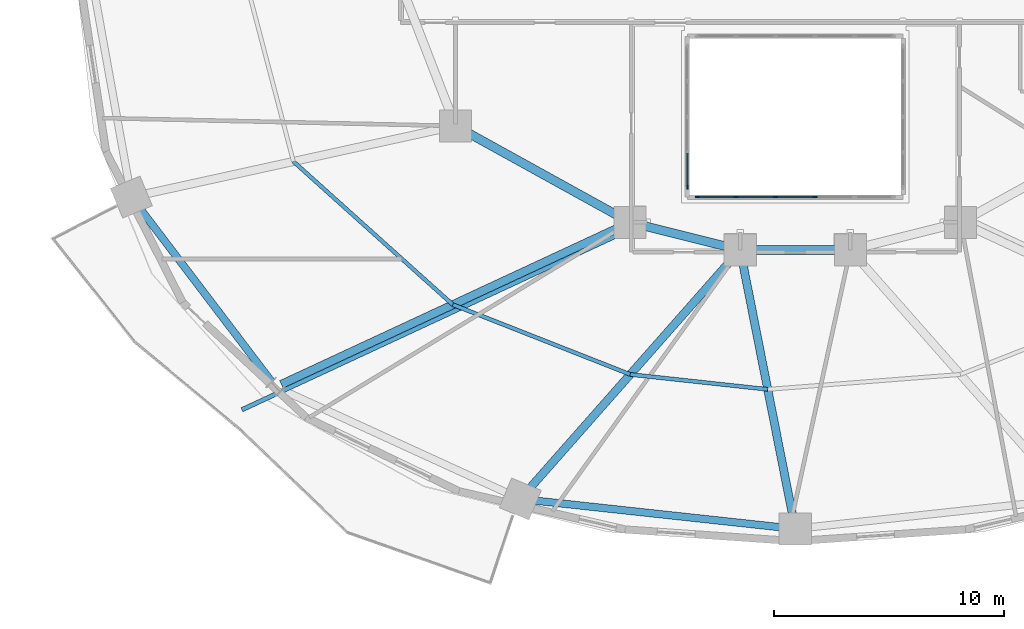
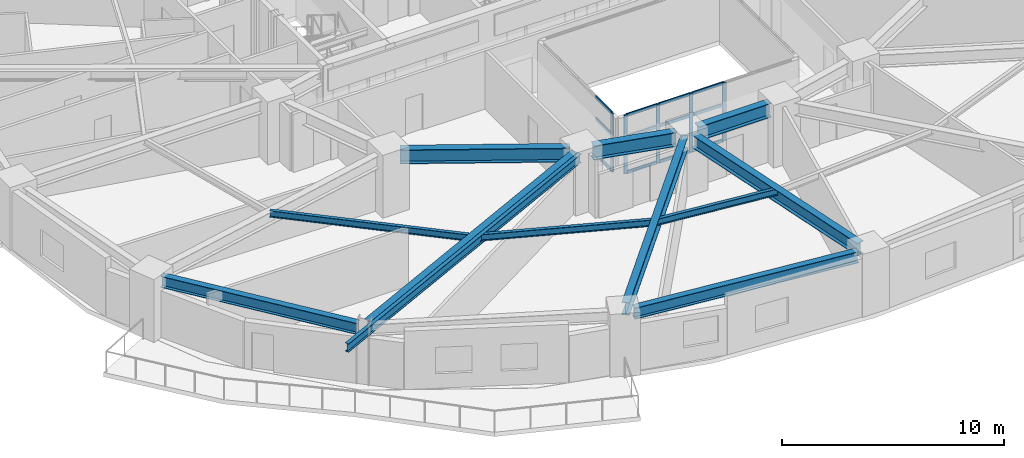
# One storey, part 3 of 17: 17 members, 12 beams, 2 elements without a shape of their own.
"""IFC4 building model written with IfcOpenShell, lengths in metres."""

from ifc_helpers import new_model, si_unit, direction, frame, origin, origin_2d, place, context, subcontext, project, spatial, rectangle, i_section, extrude, material, material_profile, profile_set, type_object, element, aggregate, save


model = new_model("IFC4")

# Units and contexts
model_context = context("Model", 3, precision=1e-05, world=origin(), true_north=direction((0.0, 1.0)))
body_context = subcontext(model_context, "Body", "Model", "MODEL_VIEW")
ifc_project = project(units=[si_unit("LENGTHUNIT", "METRE"), si_unit("AREAUNIT", "SQUARE_METRE"), si_unit("VOLUMEUNIT", "CUBIC_METRE"), si_unit("PLANEANGLEUNIT", "RADIAN"), si_unit("MASSUNIT", "GRAM", prefix="KILO")], contexts=[model_context])

# Site, building, storey
site_placement = place(None, origin())
site = spatial("IfcSite", under=ifc_project, at=site_placement, CompositionType="ELEMENT")
building_placement = place(site_placement, origin())
building = spatial("IfcBuilding", under=site, at=building_placement, Name="Haldorwick Loom Tower", CompositionType="ELEMENT")
storey_placement = place(building_placement, frame((0.0, 0.0, 27.449951171875)))
storey = spatial("IfcBuildingStorey", under=building, at=storey_placement, Name="L06", CompositionType="ELEMENT", Elevation=27.449951171875)

# Curtain wall, members
ifc_material_1 = material(Name="Thermally Broken Anodized Aluminium Curtain Wall Framing", Category="aluminium")
curtain_wall_type = type_object("IfcCurtainWallType", Name="ARC-CW-03", PredefinedType="NOTDEFINED", material=ifc_material_1)
curtain_wall_1_placement = place(storey_placement, origin())
curtain_wall_1 = element("IfcCurtainWall", 1, at=curtain_wall_1_placement, inside=storey, type_object=curtain_wall_type, Name="L06 Atrium Glazed Screen S", PredefinedType="NOTDEFINED")
ifc_material_profile_1 = material_profile(ifc_material_1, rectangle(XDim=0.06591796875, YDim=0.18505859375, at=origin_2d()), Name="ALU_MUL_66X185", Category="aluminium")
ifc_profile_set_1 = profile_set([ifc_material_profile_1], Name="Thermally Broken Anodized Aluminium Curtain Wall Framing")
member_type_1 = type_object("IfcMemberType", Name="ARC-CWM-03", PredefinedType="MULLION", material=ifc_profile_set_1)
member_1_placement = place(storey_placement, frame((36.860107421875, 16.699951171875, 0.0), z_axis=(0.0, 0.0, 1.0), x_axis=(0.0, -1.0, 0.0)))
member_1 = element("IfcMember", 2, at=member_1_placement, type_object=member_type_1, Name="CW-03 mullion 3", PredefinedType="MULLION", context=body_context, shape_type="SweptSolid", body=[
    extrude(rectangle(XDim=0.06591796875, YDim=0.18505859375, at=origin_2d()), origin(), (0.0, 0.0, 1.0), 3.2099609375),
])
member_2_placement = place(storey_placement, frame((35.139892578125, 16.699951171875, 0.0), z_axis=(0.0, 0.0, 1.0), x_axis=(0.0, -1.0, 0.0)))
member_2 = element("IfcMember", 3, at=member_2_placement, type_object=member_type_1, Name="CW-03 mullion 4", PredefinedType="MULLION", context=body_context, shape_type="SweptSolid", body=[
    extrude(rectangle(XDim=0.06591796875, YDim=0.18505859375, at=origin_2d()), origin(), (0.0, 0.0, 1.0), 3.2099609375),
])
member_3_placement = place(storey_placement, frame((33.419921875, 16.699951171875, 0.0), z_axis=(0.0, 0.0, 1.0), x_axis=(0.0, -1.0, 0.0)))
member_3 = element("IfcMember", 4, at=member_3_placement, type_object=member_type_1, Name="CW-03 mullion 5", PredefinedType="MULLION", context=body_context, shape_type="SweptSolid", body=[
    extrude(rectangle(XDim=0.06591796875, YDim=0.18505859375, at=origin_2d()), origin(), (0.0, 0.0, 1.0), 3.2099609375),
])
member_4_placement = place(storey_placement, frame((31.73291015625, 16.699951171875, 0.0), z_axis=(0.0, 0.0, 1.0), x_axis=(0.0, -1.0, 0.0)))
member_4 = element("IfcMember", 5, at=member_4_placement, type_object=member_type_1, Name="CW-03 mullion 6", PredefinedType="MULLION", context=body_context, shape_type="SweptSolid", body=[
    extrude(rectangle(XDim=0.06591796875, YDim=0.18505859375, at=origin_2d()), origin(), (0.0, 0.0, 1.0), 3.2099609375),
])

# Curtain wall, member
curtain_wall_2_placement = place(storey_placement, origin())
curtain_wall_2 = element("IfcCurtainWall", 6, at=curtain_wall_2_placement, inside=storey, type_object=curtain_wall_type, Name="L06 Atrium Glazed Screen W", PredefinedType="NOTDEFINED")
member_5_placement = place(storey_placement, frame((31.300048828125, 17.133056640625, 0.0), z_axis=(0.0, 0.0, 1.0), x_axis=(-1.0, 0.0, 0.0)))
member_5 = element("IfcMember", 7, at=member_5_placement, type_object=member_type_1, Name="CW-03 mullion 1", PredefinedType="MULLION", context=body_context, shape_type="SweptSolid", body=[
    extrude(rectangle(XDim=0.06591796875, YDim=0.18505859375, at=origin_2d()), origin(), (0.0, 0.0, 1.0), 3.2099609375),
])

# Member
ifc_material_profile_2 = material_profile(ifc_material_1, rectangle(XDim=0.06591796875, YDim=0.1650390625, at=origin_2d()), Name="ALU_TRN_66X165", Category="aluminium")
ifc_profile_set_2 = profile_set([ifc_material_profile_2], Name="Thermally Broken Anodized Aluminium Curtain Wall Framing")
member_type_2 = type_object("IfcMemberType", Name="ARC-CWT-03", PredefinedType="USERDEFINED", material=ifc_profile_set_2)
member_6_placement = place(storey_placement, frame((36.826904296875, 16.699951171875, 0.032958984375), z_axis=(-1.0, 0.0, 0.0), x_axis=(0.0, -1.0, 0.0)))
member_6 = element("IfcMember", 8, at=member_6_placement, type_object=member_type_2, Name="CW-03 transom 3.1", ObjectType="TRANSOM", PredefinedType="USERDEFINED", context=body_context, shape_type="SweptSolid", body=[
    extrude(rectangle(XDim=0.06591796875, YDim=0.1650390625, at=origin_2d()), origin(), (0.0, 0.0, 1.0), 1.65380859375),
])

member_7_placement = place(storey_placement, frame((36.826904296875, 16.699951171875, 2.0), z_axis=(-1.0, 0.0, 0.0), x_axis=(0.0, -1.0, 0.0)))
member_7 = element("IfcMember", 9, at=member_7_placement, type_object=member_type_2, Name="CW-03 transom 3.2", ObjectType="TRANSOM", PredefinedType="USERDEFINED", context=body_context, shape_type="SweptSolid", body=[
    extrude(rectangle(XDim=0.06591796875, YDim=0.1650390625, at=origin_2d()), origin(), (0.0, 0.0, 1.0), 1.65380859375),
])

member_8_placement = place(storey_placement, frame((36.826904296875, 16.699951171875, 3.177001953125), z_axis=(-1.0, 0.0, 0.0), x_axis=(0.0, -1.0, 0.0)))
member_8 = element("IfcMember", 10, at=member_8_placement, type_object=member_type_2, Name="CW-03 transom 3.3", ObjectType="TRANSOM", PredefinedType="USERDEFINED", context=body_context, shape_type="SweptSolid", body=[
    extrude(rectangle(XDim=0.06591796875, YDim=0.1650390625, at=origin_2d()), origin(), (0.0, 0.0, 1.0), 1.65380859375),
])

member_9_placement = place(storey_placement, frame((35.10693359375, 16.699951171875, 0.032958984375), z_axis=(-1.0, 0.0, 0.0), x_axis=(0.0, -1.0, 0.0)))
member_9 = element("IfcMember", 11, at=member_9_placement, type_object=member_type_2, Name="CW-03 transom 4.1", ObjectType="TRANSOM", PredefinedType="USERDEFINED", context=body_context, shape_type="SweptSolid", body=[
    extrude(rectangle(XDim=0.06591796875, YDim=0.1650390625, at=origin_2d()), origin(), (0.0, 0.0, 1.0), 1.654052734375),
])

member_10_placement = place(storey_placement, frame((35.10693359375, 16.699951171875, 2.0), z_axis=(-1.0, 0.0, 0.0), x_axis=(0.0, -1.0, 0.0)))
member_10 = element("IfcMember", 12, at=member_10_placement, type_object=member_type_2, Name="CW-03 transom 4.2", ObjectType="TRANSOM", PredefinedType="USERDEFINED", context=body_context, shape_type="SweptSolid", body=[
    extrude(rectangle(XDim=0.06591796875, YDim=0.1650390625, at=origin_2d()), origin(), (0.0, 0.0, 1.0), 1.654052734375),
])

member_11_placement = place(storey_placement, frame((35.10693359375, 16.699951171875, 3.177001953125), z_axis=(-1.0, 0.0, 0.0), x_axis=(0.0, -1.0, 0.0)))
member_11 = element("IfcMember", 13, at=member_11_placement, type_object=member_type_2, Name="CW-03 transom 4.3", ObjectType="TRANSOM", PredefinedType="USERDEFINED", context=body_context, shape_type="SweptSolid", body=[
    extrude(rectangle(XDim=0.06591796875, YDim=0.1650390625, at=origin_2d()), origin(), (0.0, 0.0, 1.0), 1.654052734375),
])

member_12_placement = place(storey_placement, frame((33.386962890625, 16.699951171875, 0.032958984375), z_axis=(-1.0, 0.0, 0.0), x_axis=(0.0, -1.0, 0.0)))
member_12 = element("IfcMember", 14, at=member_12_placement, type_object=member_type_2, Name="CW-03 transom 5.1", ObjectType="TRANSOM", PredefinedType="USERDEFINED", context=body_context, shape_type="SweptSolid", body=[
    extrude(rectangle(XDim=0.06591796875, YDim=0.1650390625, at=origin_2d()), origin(), (0.0, 0.0, 1.0), 1.620849609375),
])

member_13_placement = place(storey_placement, frame((33.386962890625, 16.699951171875, 2.0), z_axis=(-1.0, 0.0, 0.0), x_axis=(0.0, -1.0, 0.0)))
member_13 = element("IfcMember", 15, at=member_13_placement, type_object=member_type_2, Name="CW-03 transom 5.2", ObjectType="TRANSOM", PredefinedType="USERDEFINED", context=body_context, shape_type="SweptSolid", body=[
    extrude(rectangle(XDim=0.06591796875, YDim=0.1650390625, at=origin_2d()), origin(), (0.0, 0.0, 1.0), 1.620849609375),
])

member_14_placement = place(storey_placement, frame((33.386962890625, 16.699951171875, 3.177001953125), z_axis=(-1.0, 0.0, 0.0), x_axis=(0.0, -1.0, 0.0)))
member_14 = element("IfcMember", 16, at=member_14_placement, type_object=member_type_2, Name="CW-03 transom 5.3", ObjectType="TRANSOM", PredefinedType="USERDEFINED", context=body_context, shape_type="SweptSolid", body=[
    extrude(rectangle(XDim=0.06591796875, YDim=0.1650390625, at=origin_2d()), origin(), (0.0, 0.0, 1.0), 1.620849609375),
])

aggregate(curtain_wall_1, [member_1, member_2, member_3, member_4, member_6, member_7, member_8, member_9, member_10, member_11, member_12, member_13, member_14])

member_15_placement = place(storey_placement, frame((31.300048828125, 17.166015625, 0.032958984375), z_axis=(0.0, 1.0, 0.0), x_axis=(-1.0, 0.0, 0.0)))
member_15 = element("IfcMember", 17, at=member_15_placement, type_object=member_type_2, Name="CW-03 transom 1.1", ObjectType="TRANSOM", PredefinedType="USERDEFINED", context=body_context, shape_type="SweptSolid", body=[
    extrude(rectangle(XDim=0.06591796875, YDim=0.1650390625, at=origin_2d()), origin(), (0.0, 0.0, 1.0), 1.450927734375),
])

member_16_placement = place(storey_placement, frame((31.300048828125, 17.166015625, 2.0), z_axis=(0.0, 1.0, 0.0), x_axis=(-1.0, 0.0, 0.0)))
member_16 = element("IfcMember", 18, at=member_16_placement, type_object=member_type_2, Name="CW-03 transom 1.2", ObjectType="TRANSOM", PredefinedType="USERDEFINED", context=body_context, shape_type="SweptSolid", body=[
    extrude(rectangle(XDim=0.06591796875, YDim=0.1650390625, at=origin_2d()), origin(), (0.0, 0.0, 1.0), 1.450927734375),
])

member_17_placement = place(storey_placement, frame((31.300048828125, 17.166015625, 3.177001953125), z_axis=(0.0, 1.0, 0.0), x_axis=(-1.0, 0.0, 0.0)))
member_17 = element("IfcMember", 19, at=member_17_placement, type_object=member_type_2, Name="CW-03 transom 1.3", ObjectType="TRANSOM", PredefinedType="USERDEFINED", context=body_context, shape_type="SweptSolid", body=[
    extrude(rectangle(XDim=0.06591796875, YDim=0.1650390625, at=origin_2d()), origin(), (0.0, 0.0, 1.0), 1.450927734375),
])

aggregate(curtain_wall_2, [member_5, member_15, member_16, member_17])

# Beams
ifc_material_2 = material(Name="Steel CSA G40.21 350W", Category="steel")
ifc_material_profile_3 = material_profile(ifc_material_2, i_section(OverallWidth=0.193115234375, OverallDepth=0.466064453125, WebThickness=0.011474609375, FlangeThickness=0.01904296875, at=origin_2d()), Name="W460X97", Category="steel")
ifc_profile_set_3 = profile_set([ifc_material_profile_3], Name="Steel CSA G40.21 350W")
beam_type_1 = type_object("IfcBeamType", Name="STR-BM-BAL460", PredefinedType="BEAM", material=ifc_profile_set_3)
beam_1_placement = place(storey_placement, frame((28.446533203125, 15.126953125, 2.97705078125), z_axis=(-0.906840784049, -0.421473359047, 0.0), x_axis=(0.421473359047, -0.906840784049, 0.0)))
element("IfcBeam", 20, at=beam_1_placement, inside=storey, type_object=beam_type_1, Name="L06 Continuous Back-Spanned Balcony Beam 2", PredefinedType="BEAM", context=body_context, shape_type="SweptSolid", body=[
    extrude(i_section(OverallWidth=0.193115234375, OverallDepth=0.466064453125, WebThickness=0.011474609375, FlangeThickness=0.01904296875, at=origin_2d()), origin(), (0.0, 0.0, 1.0), 18.245361328125),
])
ifc_material_profile_4 = material_profile(ifc_material_2, i_section(OverallWidth=0.172119140625, OverallDepth=0.35791015625, WebThickness=0.0078125, FlangeThickness=0.01318359375, at=origin_2d()), Name="W360X57", Category="steel")
ifc_profile_set_4 = profile_set([ifc_material_profile_4], Name="Steel CSA G40.21 350W")
beam_type_2 = type_object("IfcBeamType", Name="STR-BM-J360", PredefinedType="JOIST", material=ifc_profile_set_4)
beam_2_placement = place(storey_placement, frame((14.141357421875, 18.25048828125, 3.031005859375), z_axis=(0.743981830112, -0.668199847698, 0.0), x_axis=(0.668199847698, 0.743981830112, 0.0)))
element("IfcBeam", 21, at=beam_2_placement, inside=storey, type_object=beam_type_2, Name="L06 Mid-Bay Secondary Joist 10", PredefinedType="JOIST", context=body_context, shape_type="SweptSolid", body=[
    extrude(i_section(OverallWidth=0.172119140625, OverallDepth=0.35791015625, WebThickness=0.0078125, FlangeThickness=0.01318359375, at=origin_2d()), origin(), (0.0, 0.0, 1.0), 9.3330078125),
])
beam_3_placement = place(storey_placement, frame((21.0849609375, 12.01416015625, 3.031005859375), z_axis=(0.930584838237, -0.366076301941, 0.0), x_axis=(0.366076301941, 0.930584838237, 0.0)))
element("IfcBeam", 22, at=beam_3_placement, inside=storey, type_object=beam_type_2, Name="L06 Mid-Bay Secondary Joist 11", PredefinedType="JOIST", context=body_context, shape_type="SweptSolid", body=[
    extrude(i_section(OverallWidth=0.172119140625, OverallDepth=0.35791015625, WebThickness=0.0078125, FlangeThickness=0.01318359375, at=origin_2d()), origin(), (0.0, 0.0, 1.0), 8.302490234375),
])
beam_4_placement = place(storey_placement, frame((28.81103515625, 8.974853515625, 3.031005859375), z_axis=(0.994163660215, -0.107882420753, 0.0), x_axis=(0.107882420753, 0.994163660215, 0.0)))
element("IfcBeam", 23, at=beam_4_placement, inside=storey, type_object=beam_type_2, Name="L06 Mid-Bay Secondary Joist 12", PredefinedType="JOIST", context=body_context, shape_type="SweptSolid", body=[
    extrude(i_section(OverallWidth=0.172119140625, OverallDepth=0.35791015625, WebThickness=0.0078125, FlangeThickness=0.01318359375, at=origin_2d()), origin(), (0.0, 0.0, 1.0), 6.024169921875),
])
ifc_material_profile_5 = material_profile(ifc_material_2, i_section(OverallWidth=0.324951171875, OverallDepth=0.615966796875, WebThickness=0.013916015625, FlangeThickness=0.021484375, at=origin_2d()), Name="W610X174", Category="steel")
ifc_profile_set_5 = profile_set([ifc_material_profile_5], Name="Steel CSA G40.21 350W")
beam_type_3 = type_object("IfcBeamType", Name="STR-BM-SP610", PredefinedType="SPANDREL", material=ifc_profile_set_5)
beam_5_placement = place(storey_placement, frame((7.397216796875, 16.286865234375, 2.902099609375), z_axis=(0.605084557744, -0.796161213562, 0.0), x_axis=(0.796161213562, 0.605084557744, 0.0)))
element("IfcBeam", 24, at=beam_5_placement, inside=storey, type_object=beam_type_3, Name="L06 Perimeter Spandrel 10", PredefinedType="SPANDREL", context=body_context, shape_type="SweptSolid", body=[
    extrude(i_section(OverallWidth=0.324951171875, OverallDepth=0.615966796875, WebThickness=0.013916015625, FlangeThickness=0.021484375, at=origin_2d()), origin(), (0.0, 0.0, 1.0), 9.595703125),
])
beam_6_placement = place(storey_placement, frame((24.5390625, 3.49365234375, 2.902099609375), z_axis=(0.994164438636, -0.107875247167, 0.0), x_axis=(0.107875247167, 0.994164438636, 0.0)))
element("IfcBeam", 25, at=beam_6_placement, inside=storey, type_object=beam_type_3, Name="L06 Perimeter Spandrel 12", PredefinedType="SPANDREL", context=body_context, shape_type="SweptSolid", body=[
    extrude(i_section(OverallWidth=0.324951171875, OverallDepth=0.615966796875, WebThickness=0.013916015625, FlangeThickness=0.021484375, at=origin_2d()), origin(), (0.0, 0.0, 1.0), 11.008056640625),
])
ifc_material_profile_6 = material_profile(ifc_material_2, i_section(OverallWidth=0.35498046875, OverallDepth=0.695068359375, WebThickness=0.015380859375, FlangeThickness=0.02490234375, at=origin_2d()), Name="W690X217", Category="steel")
ifc_profile_set_6 = profile_set([ifc_material_profile_6], Name="Steel CSA G40.21 350W")
beam_type_4 = type_object("IfcBeamType", Name="STR-BM-W690", PredefinedType="BEAM", material=ifc_profile_set_6)
beam_7_placement = place(storey_placement, frame((28.328369140625, 15.380859375, 2.862548828125), z_axis=(-0.90683498532, -0.421485835349, 0.0), x_axis=(0.421485835349, -0.90683498532, 0.0)))
element("IfcBeam", 26, at=beam_7_placement, inside=storey, type_object=beam_type_4, Name="L06 Radial Floor Girder 11", PredefinedType="BEAM", context=body_context, shape_type="SweptSolid", body=[
    extrude(i_section(OverallWidth=0.35498046875, OverallDepth=0.695068359375, WebThickness=0.015380859375, FlangeThickness=0.02490234375, at=origin_2d()), origin(), (0.0, 0.0, 1.0), 16.220458984375),
])
beam_8_placement = place(storey_placement, frame((33.255859375, 14.01025390625, 2.862548828125), z_axis=(-0.661774304332, -0.749703121326, 0.0), x_axis=(0.749703121326, -0.661774304332, 0.0)))
element("IfcBeam", 27, at=beam_8_placement, inside=storey, type_object=beam_type_4, Name="L06 Radial Floor Girder 12", PredefinedType="BEAM", context=body_context, shape_type="SweptSolid", body=[
    extrude(i_section(OverallWidth=0.35498046875, OverallDepth=0.695068359375, WebThickness=0.015380859375, FlangeThickness=0.02490234375, at=origin_2d()), origin(), (0.0, 0.0, 1.0), 13.43310546875),
])
beam_9_placement = place(storey_placement, frame((33.70068359375, 13.889892578125, 2.862548828125), z_axis=(0.193785651115, -0.981043893729, 0.0), x_axis=(0.981043893729, 0.193785651115, 0.0)))
element("IfcBeam", 28, at=beam_9_placement, inside=storey, type_object=beam_type_4, Name="L06 Radial Floor Girder 13", PredefinedType="BEAM", context=body_context, shape_type="SweptSolid", body=[
    extrude(i_section(OverallWidth=0.35498046875, OverallDepth=0.695068359375, WebThickness=0.015380859375, FlangeThickness=0.02490234375, at=origin_2d()), origin(), (0.0, 0.0, 1.0), 11.344970703125),
])
ifc_material_profile_7 = material_profile(ifc_material_2, i_section(OverallWidth=0.381103515625, OverallDepth=0.77294921875, WebThickness=0.0166015625, FlangeThickness=0.027587890625, at=origin_2d()), Name="W760X257", Category="steel")
ifc_profile_set_7 = profile_set([ifc_material_profile_7], Name="Steel CSA G40.21 350W")
beam_type_5 = type_object("IfcBeamType", Name="STR-BM-W760", PredefinedType="BEAM", material=ifc_profile_set_7)
beam_10_placement = place(storey_placement, frame((37.8798828125, 14.39990234375, 2.823486328125), z_axis=(-1.0, 0.0, 0.0), x_axis=(0.0, -1.0, 0.0)))
element("IfcBeam", 29, at=beam_10_placement, inside=storey, type_object=beam_type_5, Name="L06 Inner Ring Girder 5", PredefinedType="BEAM", context=body_context, shape_type="SweptSolid", body=[
    extrude(i_section(OverallWidth=0.381103515625, OverallDepth=0.77294921875, WebThickness=0.0166015625, FlangeThickness=0.027587890625, at=origin_2d()), origin(), (0.0, 0.0, 1.0), 3.759765625),
])
beam_11_placement = place(storey_placement, frame((33.095458984375, 14.526123046875, 2.823486328125), z_axis=(-0.970142500145, 0.242535625036, 0.0), x_axis=(-0.242535625036, -0.970142500145, 0.0)))
element("IfcBeam", 30, at=beam_11_placement, inside=storey, type_object=beam_type_5, Name="L06 Inner Ring Girder 6", PredefinedType="BEAM", context=body_context, shape_type="SweptSolid", body=[
    extrude(i_section(OverallWidth=0.381103515625, OverallDepth=0.77294921875, WebThickness=0.0166015625, FlangeThickness=0.027587890625, at=origin_2d()), origin(), (0.0, 0.0, 1.0), 3.90771484375),
])
beam_12_placement = place(storey_placement, frame((28.344970703125, 15.8515625, 2.823486328125), z_axis=(-0.875244382146, 0.483680960471, 0.0), x_axis=(-0.483680960471, -0.875244382146, 0.0)))
element("IfcBeam", 31, at=beam_12_placement, inside=storey, type_object=beam_type_5, Name="L06 Inner Ring Girder 7", PredefinedType="BEAM", context=body_context, shape_type="SweptSolid", body=[
    extrude(i_section(OverallWidth=0.381103515625, OverallDepth=0.77294921875, WebThickness=0.0166015625, FlangeThickness=0.027587890625, at=origin_2d()), origin(), (0.0, 0.0, 1.0), 7.6435546875),
])

save(model, "model.ifc")
